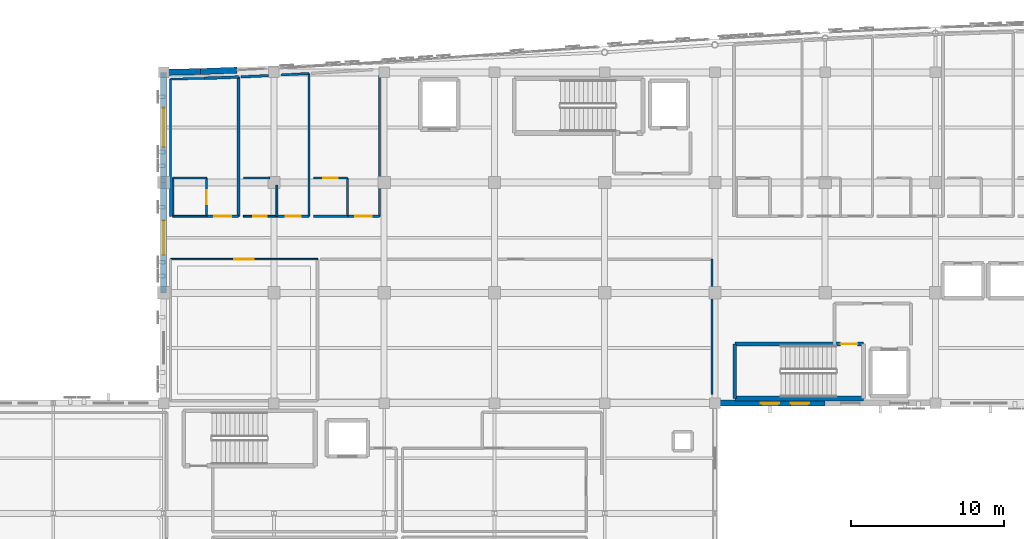
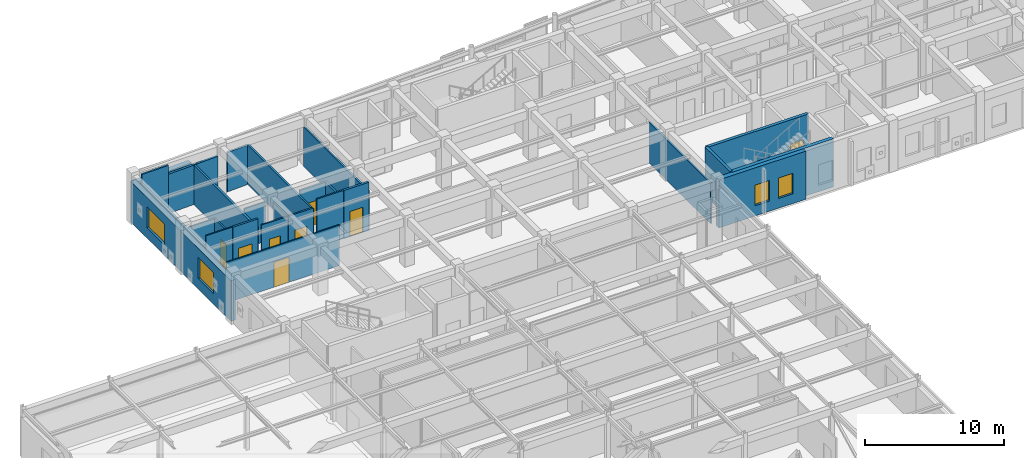
# One storey, part 78 of 106: 31 walls, 8 doors, 4 windows, 12 openings.
"""IFC4 building model written with IfcOpenShell, lengths in metres."""

from ifc_helpers import new_model, si_unit, direction, frame, frame_2d, origin, place, context, subcontext, project, spatial, rectangle, extrude, material, layer, layer_set, type_object, element, fill, save


model = new_model("IFC4")

# Units and contexts
model_context = context("Model", 3, precision=1e-05, world=origin(), true_north=direction((0.0, 1.0)))
body_context = subcontext(model_context, "Body", "Model", "MODEL_VIEW")
ifc_project = project(units=[si_unit("LENGTHUNIT", "METRE"), si_unit("AREAUNIT", "SQUARE_METRE"), si_unit("VOLUMEUNIT", "CUBIC_METRE"), si_unit("PLANEANGLEUNIT", "RADIAN"), si_unit("MASSUNIT", "GRAM", prefix="KILO")], contexts=[model_context])

# Site, building, storey
site_placement = place(None, origin())
site = spatial("IfcSite", under=ifc_project, at=site_placement, CompositionType="ELEMENT")
building_placement = place(site_placement, origin())
building = spatial("IfcBuilding", under=site, at=building_placement, Name="Carrowvane Square Congress Hotel", CompositionType="ELEMENT")
storey_placement = place(building_placement, frame((0.0, 0.0, 10.5)))
storey = spatial("IfcBuildingStorey", under=building, at=storey_placement, Name="L02", CompositionType="ELEMENT", Elevation=10.5)

# Wall, opening, window
ifc_material_1 = material(Name="Glazed terracotta rainscreen", Category="masonry")
ifc_layer_1 = layer(ifc_material_1, 0.39990234375)
ifc_layer_set_1 = layer_set([ifc_layer_1], Name="Glazed terracotta rainscreen")
wall_type_1 = type_object("IfcWallType", Name="WL-EXT-TC400", PredefinedType="STANDARD", material=ifc_layer_set_1)
wall_1_placement = place(storey_placement, frame((33.199951171875, 99.0, 0.0), z_axis=(0.0, 0.0, 1.0), x_axis=(0.0, 1.0, 0.0)))
wall_1 = element("IfcWall", 1, at=wall_1_placement, inside=storey, type_object=wall_type_1, Name="L02 exterior facade wall 276", PredefinedType="STANDARD", context=body_context, shape_type="SweptSolid", body=[
    extrude(rectangle(XDim=7.199951171875, YDim=0.39990234375, at=frame_2d((3.60009765625, 0.0))), origin(), (0.0, 0.0, 1.0), 3.554931640625),
])
opening_1_placement = place(wall_1_placement, frame((2.47509765625, 0.0, 0.89990234375)))
opening_1 = element("IfcOpeningElement", 2, at=opening_1_placement, cuts=wall_1, Name="Opening W-27", PredefinedType="OPENING", context=body_context, shape_type="SweptSolid", body=[
    extrude(rectangle(XDim=2.25, YDim=1.85009765625, at=frame_2d((1.125, 0.925048828125))), frame((0.0, 0.2099609375, 0.0), z_axis=(0.0, -1.0, 0.0), x_axis=(1.0, 0.0, 0.0)), (0.0, 0.0, 1.0), 0.419921875),
])
ifc_material_2 = material(Name="Double-glazed low-E glass", Category="glass")
window_type_1 = type_object("IfcWindowType", Name="WIN-27", PartitioningType="SINGLE_PANEL", PredefinedType="WINDOW", material=ifc_material_2)
window_1_placement = place(opening_1_placement, origin())
window_1 = element("IfcWindow", 3, at=window_1_placement, inside=storey, type_object=window_type_1, Name="L02 facade window 92", OverallHeight=1.85009765625, OverallWidth=2.25, PartitioningType="SINGLE_PANEL", PredefinedType="WINDOW", context=body_context, shape_type="SweptSolid", body=[
    extrude(rectangle(XDim=2.25, YDim=1.85009765625, at=frame_2d((1.125, 0.925048828125))), frame((0.0, 0.030029296875, 0.0), z_axis=(0.0, -1.0, 0.0), x_axis=(1.0, 0.0, 0.0)), (0.0, 0.0, 1.0), 0.06005859375),
])
fill(opening_1, window_1)

wall_2_placement = place(storey_placement, frame((33.199951171875, 106.199951171875, 0.0), z_axis=(0.0, 0.0, 1.0), x_axis=(0.0, 1.0, 0.0)))
wall_2 = element("IfcWall", 4, at=wall_2_placement, inside=storey, type_object=wall_type_1, Name="L02 exterior facade wall 277", PredefinedType="STANDARD", context=body_context, shape_type="SweptSolid", body=[
    extrude(rectangle(XDim=7.199951171875, YDim=0.39990234375, at=frame_2d((3.60009765625, 0.0))), origin(), (0.0, 0.0, 1.0), 3.554931640625),
])
opening_2_placement = place(wall_2_placement, frame((2.324951171875, 0.0, 0.89990234375)))
opening_2 = element("IfcOpeningElement", 5, at=opening_2_placement, cuts=wall_2, Name="Opening W-28", PredefinedType="OPENING", context=body_context, shape_type="SweptSolid", body=[
    extrude(rectangle(XDim=2.550048828125, YDim=1.85009765625, at=frame_2d((1.27490234375, 0.925048828125))), frame((0.0, 0.2099609375, 0.0), z_axis=(0.0, -1.0, 0.0), x_axis=(1.0, 0.0, 0.0)), (0.0, 0.0, 1.0), 0.419921875),
])
ifc_material_3 = material(Name="Double-glazed low-E glass", Category="glass")
window_type_2 = type_object("IfcWindowType", Name="WIN-28", PartitioningType="SINGLE_PANEL", PredefinedType="WINDOW", material=ifc_material_3)
window_2_placement = place(opening_2_placement, origin())
window_2 = element("IfcWindow", 6, at=window_2_placement, inside=storey, type_object=window_type_2, Name="L02 facade window 93", OverallHeight=1.85009765625, OverallWidth=2.550048828125, PartitioningType="SINGLE_PANEL", PredefinedType="WINDOW", context=body_context, shape_type="SweptSolid", body=[
    extrude(rectangle(XDim=2.550048828125, YDim=1.85009765625, at=frame_2d((1.27490234375, 0.925048828125))), frame((0.0, 0.030029296875, 0.0), z_axis=(0.0, -1.0, 0.0), x_axis=(1.0, 0.0, 0.0)), (0.0, 0.0, 1.0), 0.06005859375),
])
fill(opening_2, window_2)

# Walls
wall_3_placement = place(storey_placement, frame((33.199951171875, 113.39990234375, 0.0), z_axis=(0.0, 0.0, 1.0), x_axis=(0.999767568547, 0.021559426766, 0.0)))
element("IfcWall", 7, at=wall_3_placement, inside=storey, type_object=wall_type_1, Name="L02 exterior facade wall 278", PredefinedType="STANDARD", context=body_context, shape_type="SweptSolid", body=[
    extrude(rectangle(XDim=2.400634765625, YDim=0.39990234375, at=frame_2d((1.2001953125, 0.0))), origin(), (0.0, 0.0, 1.0), 3.455078125),
])
wall_4_placement = place(storey_placement, frame((35.60009765625, 113.45166015625, 0.0), z_axis=(0.0, 0.0, 1.0), x_axis=(0.99930757318, 0.037207179225, 0.0)))
element("IfcWall", 8, at=wall_4_placement, inside=storey, type_object=wall_type_1, Name="L02 exterior facade wall 279", PredefinedType="STANDARD", context=body_context, shape_type="SweptSolid", body=[
    extrude(rectangle(XDim=2.401611328125, YDim=0.39990234375, at=frame_2d((1.20068359375, 0.0))), origin(), (0.0, 0.0, 1.0), 3.455078125),
])

# Wall, openings, windows
wall_5_placement = place(storey_placement, frame((76.39990234375, 91.800048828125, 0.0), z_axis=(0.0, 0.0, 1.0), x_axis=(-1.0, 0.0, 0.0)))
wall_5 = element("IfcWall", 9, at=wall_5_placement, inside=storey, type_object=wall_type_1, Name="L02 exterior facade wall 322", PredefinedType="STANDARD", context=body_context, shape_type="SweptSolid", body=[
    extrude(rectangle(XDim=7.199951171875, YDim=0.39990234375, at=frame_2d((3.60009765625, 0.0))), origin(), (0.0, 0.0, 1.0), 4.219970703125),
])
opening_3_placement = place(wall_5_placement, frame((3.0, 0.0, 0.89990234375)))
opening_3 = element("IfcOpeningElement", 10, at=opening_3_placement, cuts=wall_5, Name="Opening W-01", PredefinedType="OPENING", context=body_context, shape_type="SweptSolid", body=[
    extrude(rectangle(XDim=1.199951171875, YDim=1.800048828125, at=frame_2d((0.60009765625, 0.89990234375))), frame((0.0, 0.2099609375, 0.0), z_axis=(0.0, -1.0, 0.0), x_axis=(1.0, 0.0, 0.0)), (0.0, 0.0, 1.0), 0.419921875),
])
opening_4_placement = place(wall_5_placement, frame((1.050048828125, 0.0, 0.85009765625)))
opening_4 = element("IfcOpeningElement", 11, at=opening_4_placement, cuts=wall_5, Name="Opening W-01", PredefinedType="OPENING", context=body_context, shape_type="SweptSolid", body=[
    extrude(rectangle(XDim=1.199951171875, YDim=1.800048828125, at=frame_2d((0.60009765625, 0.89990234375))), frame((0.0, 0.2099609375, 0.0), z_axis=(0.0, -1.0, 0.0), x_axis=(1.0, 0.0, 0.0)), (0.0, 0.0, 1.0), 0.419921875),
])
ifc_material_4 = material(Name="Double-glazed low-E glass", Category="glass")
window_type_3 = type_object("IfcWindowType", Name="WIN-01", PartitioningType="SINGLE_PANEL", PredefinedType="WINDOW", material=ifc_material_4)
window_3_placement = place(opening_3_placement, origin())
window_3 = element("IfcWindow", 12, at=window_3_placement, inside=storey, type_object=window_type_3, Name="L02 facade window 147", OverallHeight=1.800048828125, OverallWidth=1.199951171875, PartitioningType="SINGLE_PANEL", PredefinedType="WINDOW", context=body_context, shape_type="SweptSolid", body=[
    extrude(rectangle(XDim=1.199951171875, YDim=1.800048828125, at=frame_2d((0.60009765625, 0.89990234375))), frame((0.0, 0.030029296875, 0.0), z_axis=(0.0, -1.0, 0.0), x_axis=(1.0, 0.0, 0.0)), (0.0, 0.0, 1.0), 0.06005859375),
])
fill(opening_3, window_3)
window_4_placement = place(opening_4_placement, origin())
window_4 = element("IfcWindow", 13, at=window_4_placement, inside=storey, type_object=window_type_3, Name="L02 guest bedroom window 148", OverallHeight=1.800048828125, OverallWidth=1.199951171875, PartitioningType="SINGLE_PANEL", PredefinedType="WINDOW", context=body_context, shape_type="SweptSolid", body=[
    extrude(rectangle(XDim=1.199951171875, YDim=1.800048828125, at=frame_2d((0.60009765625, 0.89990234375))), frame((0.0, 0.030029296875, 0.0), z_axis=(0.0, -1.0, 0.0), x_axis=(1.0, 0.0, 0.0)), (0.0, 0.0, 1.0), 0.06005859375),
])
fill(opening_4, window_4)

# Wall, opening, door
ifc_material_5 = material(Name="Acoustic gypsum board", Category="gypsum")
ifc_layer_2 = layer(ifc_material_5, 0.155029296875)
ifc_layer_set_2 = layer_set([ifc_layer_2], Name="Acoustic gypsum board")
wall_type_2 = type_object("IfcWallType", Name="WL-FIR-155", PredefinedType="PARTITIONING", material=ifc_layer_set_2)
wall_6_placement = place(storey_placement, frame((38.090087890625, 104.0, 0.0), z_axis=(0.0, 0.0, 1.0), x_axis=(-1.0, 0.0, 0.0)))
wall_6 = element("IfcWall", 14, at=wall_6_placement, inside=storey, type_object=wall_type_2, Name="L02 Parkview Guest Bedroom 0202 partition", PredefinedType="PARTITIONING", context=body_context, shape_type="SweptSolid", body=[
    extrude(rectangle(XDim=2.080078125, YDim=0.155029296875, at=frame_2d((1.0400390625, 0.0))), origin(), (0.0, 0.0, 1.0), 4.219970703125),
])
opening_5_placement = place(wall_6_placement, frame((0.47998046875, 0.0, 0.0)))
opening_5 = element("IfcOpeningElement", 15, at=opening_5_placement, cuts=wall_6, Name="Opening FD-10", PredefinedType="OPENING", context=body_context, shape_type="SweptSolid", body=[
    extrude(rectangle(XDim=1.1201171875, YDim=2.199951171875, at=frame_2d((0.56005859375, 1.10009765625))), frame((0.0, 0.08740234375, 0.0), z_axis=(0.0, -1.0, 0.0), x_axis=(1.0, 0.0, 0.0)), (0.0, 0.0, 1.0), 0.175048828125),
])
ifc_material_6 = material(Name="European oak timber", Category="wood")
door_type_1 = type_object("IfcDoorType", Name="DR-FD30-1120x2200", OperationType="NOTDEFINED", PredefinedType="DOOR", material=ifc_material_6)
door_1_placement = place(opening_5_placement, origin())
door_1 = element("IfcDoor", 16, at=door_1_placement, inside=storey, type_object=door_type_1, Name="L02 Parkview Guest Bedroom 0202 entrance door", OperationType="SINGLE_SWING_RIGHT", OverallHeight=2.199951171875, OverallWidth=1.1201171875, PredefinedType="DOOR", context=body_context, shape_type="SweptSolid", body=[
    extrude(rectangle(XDim=1.1201171875, YDim=2.199951171875, at=frame_2d((0.56005859375, 1.10009765625))), frame((0.0, 0.02490234375, 0.0), z_axis=(0.0, -1.0, 0.0), x_axis=(1.0, 0.0, 0.0)), (0.0, 0.0, 1.0), 0.050048828125),
])
fill(opening_5, door_1)

# Wall
wall_7_placement = place(storey_placement, frame((40.87939453125, 113.228515625, 0.0), z_axis=(0.0, 0.0, 1.0), x_axis=(0.998570186617, 0.053456359774, 0.0)))
element("IfcWall", 17, at=wall_7_placement, inside=storey, type_object=wall_type_2, Name="L02 Parkview Guest Bedroom 0203 partition", PredefinedType="PARTITIONING", context=body_context, shape_type="SweptSolid", body=[
    extrude(rectangle(XDim=1.813232421875, YDim=0.155029296875, at=frame_2d((0.90673828125, 0.0))), origin(), (0.0, 0.0, 1.0), 3.455078125),
])

# Wall, opening, door
wall_8_placement = place(storey_placement, frame((43.0, 106.5, 0.0), z_axis=(0.0, 0.0, 1.0), x_axis=(1.0, 0.0, 0.0)))
wall_8 = element("IfcWall", 18, at=wall_8_placement, inside=storey, type_object=wall_type_2, Name="L02 En-suite Bathroom 0204 partition", PredefinedType="PARTITIONING", context=body_context, shape_type="SweptSolid", body=[
    extrude(rectangle(XDim=2.199951171875, YDim=0.155029296875, at=frame_2d((1.10009765625, 0.0))), origin(), (0.0, 0.0, 1.0), 3.455078125),
])
opening_6_placement = place(wall_8_placement, frame((0.6298828125, 0.0, 0.0)))
opening_6 = element("IfcOpeningElement", 19, at=opening_6_placement, cuts=wall_8, Name="Opening ID-04", PredefinedType="OPENING", context=body_context, shape_type="SweptSolid", body=[
    extrude(rectangle(XDim=0.93994140625, YDim=2.1201171875, at=frame_2d((0.469970703125, 1.06005859375))), frame((0.0, 0.08740234375, 0.0), z_axis=(0.0, -1.0, 0.0), x_axis=(1.0, 0.0, 0.0)), (0.0, 0.0, 1.0), 0.175048828125),
])
ifc_material_7 = material(Name="European oak timber", Category="wood")
door_type_2 = type_object("IfcDoorType", Name="DR-INT-0940x2120", OperationType="NOTDEFINED", PredefinedType="DOOR", material=ifc_material_7)
door_2_placement = place(opening_6_placement, origin())
door_2 = element("IfcDoor", 20, at=door_2_placement, inside=storey, type_object=door_type_2, Name="L02 En-suite Bathroom 0204 door", OperationType="SINGLE_SWING_LEFT", OverallHeight=2.1201171875, OverallWidth=0.93994140625, PredefinedType="DOOR", context=body_context, shape_type="SweptSolid", body=[
    extrude(rectangle(XDim=0.93994140625, YDim=2.1201171875, at=frame_2d((0.469970703125, 1.06005859375))), frame((0.0, 0.02490234375, 0.0), z_axis=(0.0, -1.0, 0.0), x_axis=(1.0, 0.0, 0.0)), (0.0, 0.0, 1.0), 0.050048828125),
])
fill(opening_6, door_2)

# Walls
ifc_material_8 = material(Name="Acoustic gypsum board", Category="gypsum")
ifc_layer_3 = layer(ifc_material_8, 0.169921875)
ifc_layer_set_3 = layer_set([ifc_layer_3], Name="Acoustic gypsum board")
wall_type_3 = type_object("IfcWallType", Name="WL-FIR-170", PredefinedType="PARTITIONING", material=ifc_layer_set_3)
wall_9_placement = place(storey_placement, frame((38.090087890625, 113.09521484375, 0.0), z_axis=(0.0, 0.0, 1.0), x_axis=(0.0, -1.0, 0.0)))
element("IfcWall", 21, at=wall_9_placement, inside=storey, type_object=wall_type_3, Name="L02 Parkview Guest Bedroom 0202 partition", PredefinedType="PARTITIONING", context=body_context, shape_type="SweptSolid", body=[
    extrude(rectangle(XDim=9.09521484375, YDim=0.169921875, at=frame_2d((4.547607421875, 0.0))), origin(), (0.0, 0.0, 1.0), 3.455078125),
])
wall_10_placement = place(storey_placement, frame((38.25, 113.1025390625, 0.0), z_axis=(0.0, 0.0, 1.0), x_axis=(0.998907108364, 0.046739585572, 0.0)))
element("IfcWall", 22, at=wall_10_placement, inside=storey, type_object=wall_type_3, Name="L02 Parkview Guest Bedroom 0203 partition", PredefinedType="PARTITIONING", context=body_context, shape_type="SweptSolid", body=[
    extrude(rectangle(XDim=1.8125, YDim=0.169921875, at=frame_2d((0.90625, 0.0))), origin(), (0.0, 0.0, 1.0), 3.455078125),
])
ifc_material_9 = material(Name="Acoustic gypsum board", Category="gypsum")
ifc_layer_4 = layer(ifc_material_9, 0.18505859375)
ifc_layer_set_4 = layer_set([ifc_layer_4], Name="Acoustic gypsum board")
wall_type_4 = type_object("IfcWallType", Name="WL-FIR-185", PredefinedType="PARTITIONING", material=ifc_layer_set_4)
wall_11_placement = place(storey_placement, frame((35.8701171875, 113.01171875, 0.0), z_axis=(0.0, 0.0, 1.0), x_axis=(0.999293442739, 0.037584774818, 0.0)))
element("IfcWall", 23, at=wall_11_placement, inside=storey, type_object=wall_type_4, Name="L02 Parkview Guest Bedroom 0202 partition", PredefinedType="PARTITIONING", context=body_context, shape_type="SweptSolid", body=[
    extrude(rectangle(XDim=2.221435546875, YDim=0.18505859375, at=frame_2d((1.11083984375, 0.0))), origin(), (0.0, 0.0, 1.0), 3.455078125),
])

# Wall, opening, door
wall_12_placement = place(storey_placement, frame((47.2900390625, 104.0, 0.0), z_axis=(0.0, 0.0, 1.0), x_axis=(-1.0, 0.0, 0.0)))
wall_12 = element("IfcWall", 24, at=wall_12_placement, inside=storey, type_object=wall_type_4, Name="L02 Parkview Guest Bedroom 0204 partition", PredefinedType="PARTITIONING", context=body_context, shape_type="SweptSolid", body=[
    extrude(rectangle(XDim=2.080078125, YDim=0.18505859375, at=frame_2d((1.0400390625, 0.0))), origin(), (0.0, 0.0, 1.0), 4.219970703125),
])
opening_7_placement = place(wall_12_placement, frame((0.510009765625, 0.0, 0.0)))
opening_7 = element("IfcOpeningElement", 25, at=opening_7_placement, cuts=wall_12, Name="Opening FD-09", PredefinedType="OPENING", context=body_context, shape_type="SweptSolid", body=[
    extrude(rectangle(XDim=1.06005859375, YDim=2.199951171875, at=frame_2d((0.530029296875, 1.10009765625))), frame((0.0, 0.1025390625, 0.0), z_axis=(0.0, -1.0, 0.0), x_axis=(1.0, 0.0, 0.0)), (0.0, 0.0, 1.0), 0.205078125),
])
ifc_material_10 = material(Name="European oak timber", Category="wood")
door_type_3 = type_object("IfcDoorType", Name="DR-FD30-1060x2200", OperationType="NOTDEFINED", PredefinedType="DOOR", material=ifc_material_10)
door_3_placement = place(opening_7_placement, origin())
door_3 = element("IfcDoor", 26, at=door_3_placement, inside=storey, type_object=door_type_3, Name="L02 Parkview Guest Bedroom 0204 entrance door", OperationType="SINGLE_SWING_RIGHT", OverallHeight=2.199951171875, OverallWidth=1.06005859375, PredefinedType="DOOR", context=body_context, shape_type="SweptSolid", body=[
    extrude(rectangle(XDim=1.06005859375, YDim=2.199951171875, at=frame_2d((0.530029296875, 1.10009765625))), frame((0.0, 0.02490234375, 0.0), z_axis=(0.0, -1.0, 0.0), x_axis=(1.0, 0.0, 0.0)), (0.0, 0.0, 1.0), 0.050048828125),
])
fill(opening_7, door_3)

ifc_material_11 = material(Name="Acoustic gypsum board", Category="gypsum")
ifc_layer_5 = layer(ifc_material_11, 0.097900390625)
ifc_layer_set_5 = layer_set([ifc_layer_5], Name="Acoustic gypsum board")
wall_type_5 = type_object("IfcWallType", Name="WL-PRT-098", PredefinedType="PARTITIONING", material=ifc_layer_set_5)
wall_13_placement = place(storey_placement, frame((33.64990234375, 101.199951171875, 0.0), z_axis=(0.0, 0.0, 1.0), x_axis=(1.0, 0.0, 0.0)))
wall_13 = element("IfcWall", 27, at=wall_13_placement, inside=storey, type_object=wall_type_5, Name="L02 L02 Wellness Reading Lounge partition", PredefinedType="PARTITIONING", context=body_context, shape_type="SweptSolid", body=[
    extrude(rectangle(XDim=9.60009765625, YDim=0.097900390625, at=frame_2d((4.800048828125, 0.0))), origin(), (0.0, 0.0, 1.0), 3.554931640625),
])
opening_8_placement = place(wall_13_placement, frame((4.175048828125, 0.0, 0.0)))
opening_8 = element("IfcOpeningElement", 28, at=opening_8_placement, cuts=wall_13, Name="Opening ID-10", PredefinedType="OPENING", context=body_context, shape_type="SweptSolid", body=[
    extrude(rectangle(XDim=1.25, YDim=2.199951171875, at=frame_2d((0.625, 1.10009765625))), frame((0.0, 0.058837890625, 0.0), z_axis=(0.0, -1.0, 0.0), x_axis=(1.0, 0.0, 0.0)), (0.0, 0.0, 1.0), 0.117919921875),
])
ifc_material_12 = material(Name="European oak timber", Category="wood")
door_type_4 = type_object("IfcDoorType", Name="DR-INT-1250x2200", OperationType="NOTDEFINED", PredefinedType="DOOR", material=ifc_material_12)
door_4_placement = place(opening_8_placement, origin())
door_4 = element("IfcDoor", 29, at=door_4_placement, inside=storey, type_object=door_type_4, Name="L02 L02 Wellness Reading Lounge entrance door", OperationType="SINGLE_SWING_LEFT", OverallHeight=2.199951171875, OverallWidth=1.25, PredefinedType="DOOR", context=body_context, shape_type="SweptSolid", body=[
    extrude(rectangle(XDim=1.25, YDim=2.199951171875, at=frame_2d((0.625, 1.10009765625))), frame((0.0, 0.02490234375, 0.0), z_axis=(0.0, -1.0, 0.0), x_axis=(1.0, 0.0, 0.0)), (0.0, 0.0, 1.0), 0.050048828125),
])
fill(opening_8, door_4)

# Wall
ifc_material_13 = material(Name="Acoustic gypsum board", Category="gypsum")
ifc_layer_6 = layer(ifc_material_13, 0.10791015625)
ifc_layer_set_6 = layer_set([ifc_layer_6], Name="Acoustic gypsum board")
wall_type_6 = type_object("IfcWallType", Name="WL-PRT-108", PredefinedType="PARTITIONING", material=ifc_layer_set_6)
wall_14_placement = place(storey_placement, frame((36.0, 104.0, 0.0), z_axis=(0.0, 0.0, 1.0), x_axis=(-1.0, 0.0, 0.0)))
element("IfcWall", 30, at=wall_14_placement, inside=storey, type_object=wall_type_6, Name="L02 En-suite Bathroom 0202 partition", PredefinedType="PARTITIONING", context=body_context, shape_type="SweptSolid", body=[
    extrude(rectangle(XDim=2.199951171875, YDim=0.10791015625, at=frame_2d((1.10009765625, 0.0))), origin(), (0.0, 0.0, 1.0), 4.219970703125),
])

# Wall, opening, door
ifc_material_14 = material(Name="Acoustic gypsum board", Category="gypsum")
ifc_layer_7 = layer(ifc_material_14, 0.117919921875)
ifc_layer_set_7 = layer_set([ifc_layer_7], Name="Acoustic gypsum board")
wall_type_7 = type_object("IfcWallType", Name="WL-PRT-118", PredefinedType="PARTITIONING", material=ifc_layer_set_7)
wall_15_placement = place(storey_placement, frame((36.0, 106.5, 0.0), z_axis=(0.0, 0.0, 1.0), x_axis=(0.0, -1.0, 0.0)))
wall_15 = element("IfcWall", 31, at=wall_15_placement, inside=storey, type_object=wall_type_7, Name="L02 En-suite Bathroom 0202 partition", PredefinedType="PARTITIONING", context=body_context, shape_type="SweptSolid", body=[
    extrude(rectangle(XDim=2.5, YDim=0.117919921875, at=frame_2d((1.25, 0.0))), origin(), (0.0, 0.0, 1.0), 3.455078125),
])
opening_9_placement = place(wall_15_placement, frame((0.784912109375, 0.0, 0.0)))
opening_9 = element("IfcOpeningElement", 32, at=opening_9_placement, cuts=wall_15, Name="Opening ID-18", PredefinedType="OPENING", context=body_context, shape_type="SweptSolid", body=[
    extrude(rectangle(XDim=0.929931640625, YDim=2.1298828125, at=frame_2d((0.46484375, 1.06494140625))), frame((0.0, 0.06884765625, 0.0), z_axis=(0.0, -1.0, 0.0), x_axis=(1.0, 0.0, 0.0)), (0.0, 0.0, 1.0), 0.137939453125),
])
ifc_material_15 = material(Name="European oak timber", Category="wood")
door_type_5 = type_object("IfcDoorType", Name="DR-INT-0930x2130", OperationType="NOTDEFINED", PredefinedType="DOOR", material=ifc_material_15)
door_5_placement = place(opening_9_placement, origin())
door_5 = element("IfcDoor", 33, at=door_5_placement, inside=storey, type_object=door_type_5, Name="L02 En-suite Bathroom 0202 door", OperationType="SINGLE_SWING_LEFT", OverallHeight=2.1298828125, OverallWidth=0.929931640625, PredefinedType="DOOR", context=body_context, shape_type="SweptSolid", body=[
    extrude(rectangle(XDim=0.929931640625, YDim=2.1298828125, at=frame_2d((0.46484375, 1.06494140625))), frame((0.0, 0.02490234375, 0.0), z_axis=(0.0, -1.0, 0.0), x_axis=(1.0, 0.0, 0.0)), (0.0, 0.0, 1.0), 0.050048828125),
])
fill(opening_9, door_5)

wall_16_placement = place(storey_placement, frame((40.60009765625, 104.0, 0.0), z_axis=(0.0, 0.0, 1.0), x_axis=(-1.0, 0.0, 0.0)))
wall_16 = element("IfcWall", 34, at=wall_16_placement, inside=storey, type_object=wall_type_7, Name="L02 En-suite Bathroom 0203 partition", PredefinedType="PARTITIONING", context=body_context, shape_type="SweptSolid", body=[
    extrude(rectangle(XDim=2.2001953125, YDim=0.117919921875, at=frame_2d((1.10009765625, 0.0))), origin(), (0.0, 0.0, 1.0), 3.554931640625),
])
opening_10_placement = place(wall_16_placement, frame((0.64990234375, 0.0, 0.0)))
opening_10 = element("IfcOpeningElement", 35, at=opening_10_placement, cuts=wall_16, Name="Opening ID-02", PredefinedType="OPENING", context=body_context, shape_type="SweptSolid", body=[
    extrude(rectangle(XDim=0.89990234375, YDim=2.080078125, at=frame_2d((0.449951171875, 1.0400390625))), frame((0.0, 0.06884765625, 0.0), z_axis=(0.0, -1.0, 0.0), x_axis=(1.0, 0.0, 0.0)), (0.0, 0.0, 1.0), 0.137939453125),
])
ifc_material_16 = material(Name="European oak timber", Category="wood")
door_type_6 = type_object("IfcDoorType", Name="DR-INT-0900x2080", OperationType="NOTDEFINED", PredefinedType="DOOR", material=ifc_material_16)
door_6_placement = place(opening_10_placement, origin())
door_6 = element("IfcDoor", 36, at=door_6_placement, inside=storey, type_object=door_type_6, Name="L02 En-suite Bathroom 0203 door", OperationType="SINGLE_SWING_LEFT", OverallHeight=2.080078125, OverallWidth=0.89990234375, PredefinedType="DOOR", context=body_context, shape_type="SweptSolid", body=[
    extrude(rectangle(XDim=0.89990234375, YDim=2.080078125, at=frame_2d((0.449951171875, 1.0400390625))), frame((0.0, 0.02490234375, 0.0), z_axis=(0.0, -1.0, 0.0), x_axis=(1.0, 0.0, 0.0)), (0.0, 0.0, 1.0), 0.050048828125),
])
fill(opening_10, door_6)

# Walls
ifc_material_17 = material(Name="Acoustic gypsum board", Category="gypsum")
ifc_layer_8 = layer(ifc_material_17, 0.1279296875)
ifc_layer_set_8 = layer_set([ifc_layer_8], Name="Acoustic gypsum board")
wall_type_8 = type_object("IfcWallType", Name="WL-PRT-128", PredefinedType="PARTITIONING", material=ifc_layer_set_8)
wall_17_placement = place(storey_placement, frame((33.800048828125, 106.5, 0.0), z_axis=(0.0, 0.0, 1.0), x_axis=(1.0, 0.0, 0.0)))
element("IfcWall", 37, at=wall_17_placement, inside=storey, type_object=wall_type_8, Name="L02 En-suite Bathroom 0202 partition", PredefinedType="PARTITIONING", context=body_context, shape_type="SweptSolid", body=[
    extrude(rectangle(XDim=2.199951171875, YDim=0.1279296875, at=frame_2d((1.10009765625, 0.0))), origin(), (0.0, 0.0, 1.0), 3.455078125),
])
wall_18_placement = place(storey_placement, frame((40.60009765625, 106.0400390625, 0.0), z_axis=(0.0, 0.0, 1.0), x_axis=(0.0, -1.0, 0.0)))
element("IfcWall", 38, at=wall_18_placement, inside=storey, type_object=wall_type_8, Name="L02 En-suite Bathroom 0203 partition", PredefinedType="PARTITIONING", context=body_context, shape_type="SweptSolid", body=[
    extrude(rectangle(XDim=2.0400390625, YDim=0.1279296875, at=frame_2d((1.02001953125, 0.0))), origin(), (0.0, 0.0, 1.0), 3.554931640625),
])
ifc_material_18 = material(Name="Acoustic gypsum board", Category="gypsum")
ifc_layer_9 = layer(ifc_material_18, 0.137939453125)
ifc_layer_set_9 = layer_set([ifc_layer_9], Name="Acoustic gypsum board")
wall_type_9 = type_object("IfcWallType", Name="WL-PRT-138", PredefinedType="PARTITIONING", material=ifc_layer_set_9)
wall_19_placement = place(storey_placement, frame((69.0, 101.199951171875, 0.0), z_axis=(0.0, 0.0, 1.0), x_axis=(0.0, -1.0, 0.0)))
element("IfcWall", 39, at=wall_19_placement, inside=storey, type_object=wall_type_9, Name="L02 L02 West Delegate Linen and Service Room partition", PredefinedType="PARTITIONING", context=body_context, shape_type="SweptSolid", body=[
    extrude(rectangle(XDim=8.829833984375, YDim=0.137939453125, at=frame_2d((4.4150390625, 0.0))), origin(), (0.0, 0.0, 1.0), 3.554931640625),
])
wall_20_placement = place(storey_placement, frame((33.800048828125, 104.0, 0.0), z_axis=(0.0, 0.0, 1.0), x_axis=(0.0, 1.0, 0.0)))
element("IfcWall", 40, at=wall_20_placement, inside=storey, type_object=wall_type_9, Name="L02 En-suite Bathroom 0202 partition", PredefinedType="PARTITIONING", context=body_context, shape_type="SweptSolid", body=[
    extrude(rectangle(XDim=2.5, YDim=0.137939453125, at=frame_2d((1.25, 0.0))), origin(), (0.0, 0.0, 1.0), 3.455078125),
])
wall_21_placement = place(storey_placement, frame((33.64990234375, 112.959716796875, 0.0), z_axis=(0.0, 0.0, 1.0), x_axis=(0.999725816909, 0.023415614581, 0.0)))
element("IfcWall", 41, at=wall_21_placement, inside=storey, type_object=wall_type_9, Name="L02 Parkview Guest Bedroom 0202 partition", PredefinedType="PARTITIONING", context=body_context, shape_type="SweptSolid", body=[
    extrude(rectangle(XDim=2.220703125, YDim=0.137939453125, at=frame_2d((1.1103515625, 0.0))), origin(), (0.0, 0.0, 1.0), 4.219970703125),
])
wall_22_placement = place(storey_placement, frame((38.39990234375, 106.5, 0.0), z_axis=(0.0, 0.0, 1.0), x_axis=(1.0, 0.0, 0.0)))
element("IfcWall", 42, at=wall_22_placement, inside=storey, type_object=wall_type_9, Name="L02 En-suite Bathroom 0203 partition", PredefinedType="PARTITIONING", context=body_context, shape_type="SweptSolid", body=[
    extrude(rectangle(XDim=1.739990234375, YDim=0.137939453125, at=frame_2d((0.8701171875, 0.0))), origin(), (0.0, 0.0, 1.0), 3.455078125),
])

# Wall, opening, door
wall_23_placement = place(storey_placement, frame((42.68994140625, 104.0, 0.0), z_axis=(0.0, 0.0, 1.0), x_axis=(-1.0, 0.0, 0.0)))
wall_23 = element("IfcWall", 43, at=wall_23_placement, inside=storey, type_object=wall_type_9, Name="L02 Parkview Guest Bedroom 0203 partition", PredefinedType="PARTITIONING", context=body_context, shape_type="SweptSolid", body=[
    extrude(rectangle(XDim=2.079833984375, YDim=0.137939453125, at=frame_2d((1.0400390625, 0.0))), origin(), (0.0, 0.0, 1.0), 3.554931640625),
])
opening_11_placement = place(wall_23_placement, frame((0.550048828125, 0.0, 0.0)))
opening_11 = element("IfcOpeningElement", 44, at=opening_11_placement, cuts=wall_23, Name="Opening FD-07", PredefinedType="OPENING", context=body_context, shape_type="SweptSolid", body=[
    extrude(rectangle(XDim=0.97998046875, YDim=2.14990234375, at=frame_2d((0.489990234375, 1.074951171875))), frame((0.0, 0.078857421875, 0.0), z_axis=(0.0, -1.0, 0.0), x_axis=(1.0, 0.0, 0.0)), (0.0, 0.0, 1.0), 0.157958984375),
])
ifc_material_19 = material(Name="European oak timber", Category="wood")
door_type_7 = type_object("IfcDoorType", Name="DR-FD30-0980x2150", OperationType="NOTDEFINED", PredefinedType="DOOR", material=ifc_material_19)
door_7_placement = place(opening_11_placement, origin())
door_7 = element("IfcDoor", 45, at=door_7_placement, inside=storey, type_object=door_type_7, Name="L02 Parkview Guest Bedroom 0203 entrance door", OperationType="SINGLE_SWING_RIGHT", OverallHeight=2.14990234375, OverallWidth=0.97998046875, PredefinedType="DOOR", context=body_context, shape_type="SweptSolid", body=[
    extrude(rectangle(XDim=0.97998046875, YDim=2.14990234375, at=frame_2d((0.489990234375, 1.074951171875))), frame((0.0, 0.02490234375, 0.0), z_axis=(0.0, -1.0, 0.0), x_axis=(1.0, 0.0, 0.0)), (0.0, 0.0, 1.0), 0.050048828125),
])
fill(opening_11, door_7)

# Walls
wall_24_placement = place(storey_placement, frame((45.199951171875, 104.0, 0.0), z_axis=(0.0, 0.0, 1.0), x_axis=(-1.0, 0.0, 0.0)))
element("IfcWall", 46, at=wall_24_placement, inside=storey, type_object=wall_type_9, Name="L02 En-suite Bathroom 0204 partition", PredefinedType="PARTITIONING", context=body_context, shape_type="SweptSolid", body=[
    extrude(rectangle(XDim=2.199951171875, YDim=0.137939453125, at=frame_2d((1.10009765625, 0.0))), origin(), (0.0, 0.0, 1.0), 4.219970703125),
])
wall_25_placement = place(storey_placement, frame((47.2900390625, 113.19580078125, 0.0), z_axis=(0.0, 0.0, 1.0), x_axis=(0.0, -1.0, 0.0)))
element("IfcWall", 47, at=wall_25_placement, inside=storey, type_object=wall_type_9, Name="L02 Parkview Guest Bedroom 0204 partition", PredefinedType="PARTITIONING", context=body_context, shape_type="SweptSolid", body=[
    extrude(rectangle(XDim=9.19580078125, YDim=0.137939453125, at=frame_2d((4.597900390625, 0.0))), origin(), (0.0, 0.0, 1.0), 3.455078125),
])
ifc_material_20 = material(Name="Acoustic gypsum board", Category="gypsum")
ifc_layer_10 = layer(ifc_material_20, 0.14794921875)
ifc_layer_set_10 = layer_set([ifc_layer_10], Name="Acoustic gypsum board")
wall_type_10 = type_object("IfcWallType", Name="WL-PRT-148", PredefinedType="PARTITIONING", material=ifc_layer_set_10)
wall_26_placement = place(storey_placement, frame((33.64990234375, 104.0, 0.0), z_axis=(0.0, 0.0, 1.0), x_axis=(0.0, 1.0, 0.0)))
element("IfcWall", 48, at=wall_26_placement, inside=storey, type_object=wall_type_10, Name="L02 Parkview Guest Bedroom 0202 partition", PredefinedType="PARTITIONING", context=body_context, shape_type="SweptSolid", body=[
    extrude(rectangle(XDim=8.959716796875, YDim=0.14794921875, at=frame_2d((4.47998046875, 0.0))), origin(), (0.0, 0.0, 1.0), 3.455078125),
])
wall_27_placement = place(storey_placement, frame((42.68994140625, 113.325439453125, 0.0), z_axis=(0.0, 0.0, 1.0), x_axis=(0.0, -1.0, 0.0)))
element("IfcWall", 49, at=wall_27_placement, inside=storey, type_object=wall_type_10, Name="L02 Parkview Guest Bedroom 0203 partition", PredefinedType="PARTITIONING", context=body_context, shape_type="SweptSolid", body=[
    extrude(rectangle(XDim=9.325439453125, YDim=0.14794921875, at=frame_2d((4.66259765625, 0.0))), origin(), (0.0, 0.0, 1.0), 3.455078125),
])
wall_28_placement = place(storey_placement, frame((45.199951171875, 106.5, 0.0), z_axis=(0.0, 0.0, 1.0), x_axis=(0.0, -1.0, 0.0)))
element("IfcWall", 50, at=wall_28_placement, inside=storey, type_object=wall_type_10, Name="L02 En-suite Bathroom 0204 partition", PredefinedType="PARTITIONING", context=body_context, shape_type="SweptSolid", body=[
    extrude(rectangle(XDim=2.5, YDim=0.14794921875, at=frame_2d((1.25, 0.0))), origin(), (0.0, 0.0, 1.0), 3.455078125),
])
ifc_material_21 = material(Name="Concrete C40/50", Category="concrete")
ifc_layer_11 = layer(ifc_material_21, 0.22509765625)
ifc_layer_set_11 = layer_set([ifc_layer_11], Name="Concrete C40/50")
wall_type_11 = type_object("IfcWallType", Name="WL-SHR-225", PredefinedType="SHEAR", material=ifc_layer_set_11)
wall_29_placement = place(storey_placement, frame((70.5, 95.659912109375, 0.0), z_axis=(0.0, 0.0, 1.0), x_axis=(0.0, -1.0, 0.0)))
element("IfcWall", 51, at=wall_29_placement, inside=storey, type_object=wall_type_11, Name="L02 ST2 core wall west", PredefinedType="SHEAR", context=body_context, shape_type="SweptSolid", body=[
    extrude(rectangle(XDim=3.559814453125, YDim=0.22509765625, at=frame_2d((1.77978515625, 0.0))), origin(), (0.0, 0.0, 1.0), 4.219970703125),
])

# Wall, opening, door
ifc_material_22 = material(Name="Concrete C40/50", Category="concrete")
ifc_layer_12 = layer(ifc_material_22, 0.25)
ifc_layer_set_12 = layer_set([ifc_layer_12], Name="Concrete C40/50")
wall_type_12 = type_object("IfcWallType", Name="WL-SHR-250", PredefinedType="SHEAR", material=ifc_layer_set_12)
wall_30_placement = place(storey_placement, frame((78.89990234375, 95.659912109375, 0.0), z_axis=(0.0, 0.0, 1.0), x_axis=(-1.0, 0.0, 0.0)))
wall_30 = element("IfcWall", 52, at=wall_30_placement, inside=storey, type_object=wall_type_12, Name="L02 ST2 core wall north", PredefinedType="SHEAR", context=body_context, shape_type="SweptSolid", body=[
    extrude(rectangle(XDim=8.39990234375, YDim=0.25, at=frame_2d((4.199951171875, 0.0))), origin(), (0.0, 0.0, 1.0), 4.219970703125),
])
opening_12_placement = place(wall_30_placement, frame((0.389892578125, 0.0, 0.0)))
opening_12 = element("IfcOpeningElement", 53, at=opening_12_placement, cuts=wall_30, Name="Opening FD-01", PredefinedType="OPENING", context=body_context, shape_type="SweptSolid", body=[
    extrude(rectangle(XDim=1.10009765625, YDim=2.10009765625, at=frame_2d((0.550048828125, 1.050048828125))), frame((0.0, 0.135009765625, 0.0), z_axis=(0.0, -1.0, 0.0), x_axis=(1.0, 0.0, 0.0)), (0.0, 0.0, 1.0), 0.27001953125),
])
ifc_material_23 = material(Name="European oak timber", Category="wood")
door_type_8 = type_object("IfcDoorType", Name="DR-FD60-1100x2100", OperationType="NOTDEFINED", PredefinedType="DOOR", material=ifc_material_23)
door_8_placement = place(opening_12_placement, origin())
door_8 = element("IfcDoor", 54, at=door_8_placement, inside=storey, type_object=door_type_8, Name="L02 ST2 fire door", OperationType="SINGLE_SWING_LEFT", OverallHeight=2.10009765625, OverallWidth=1.10009765625, PredefinedType="DOOR", context=body_context, shape_type="SweptSolid", body=[
    extrude(rectangle(XDim=1.10009765625, YDim=2.10009765625, at=frame_2d((0.550048828125, 1.050048828125))), frame((0.0, 0.02490234375, 0.0), z_axis=(0.0, -1.0, 0.0), x_axis=(1.0, 0.0, 0.0)), (0.0, 0.0, 1.0), 0.050048828125),
])
fill(opening_12, door_8)

# Wall
ifc_material_24 = material(Name="Concrete C40/50", Category="concrete")
ifc_layer_13 = layer(ifc_material_24, 0.300048828125)
ifc_layer_set_13 = layer_set([ifc_layer_13], Name="Concrete C40/50")
wall_type_13 = type_object("IfcWallType", Name="WL-SHR-300", PredefinedType="SHEAR", material=ifc_layer_set_13)
wall_31_placement = place(storey_placement, frame((70.5, 92.10009765625, 0.0), z_axis=(0.0, 0.0, 1.0), x_axis=(1.0, 0.0, 0.0)))
element("IfcWall", 55, at=wall_31_placement, inside=storey, type_object=wall_type_13, Name="L02 ST2 core wall south", PredefinedType="SHEAR", context=body_context, shape_type="SweptSolid", body=[
    extrude(rectangle(XDim=8.39990234375, YDim=0.300048828125, at=frame_2d((4.199951171875, 0.0))), origin(), (0.0, 0.0, 1.0), 4.219970703125),
])

save(model, "model.ifc")
